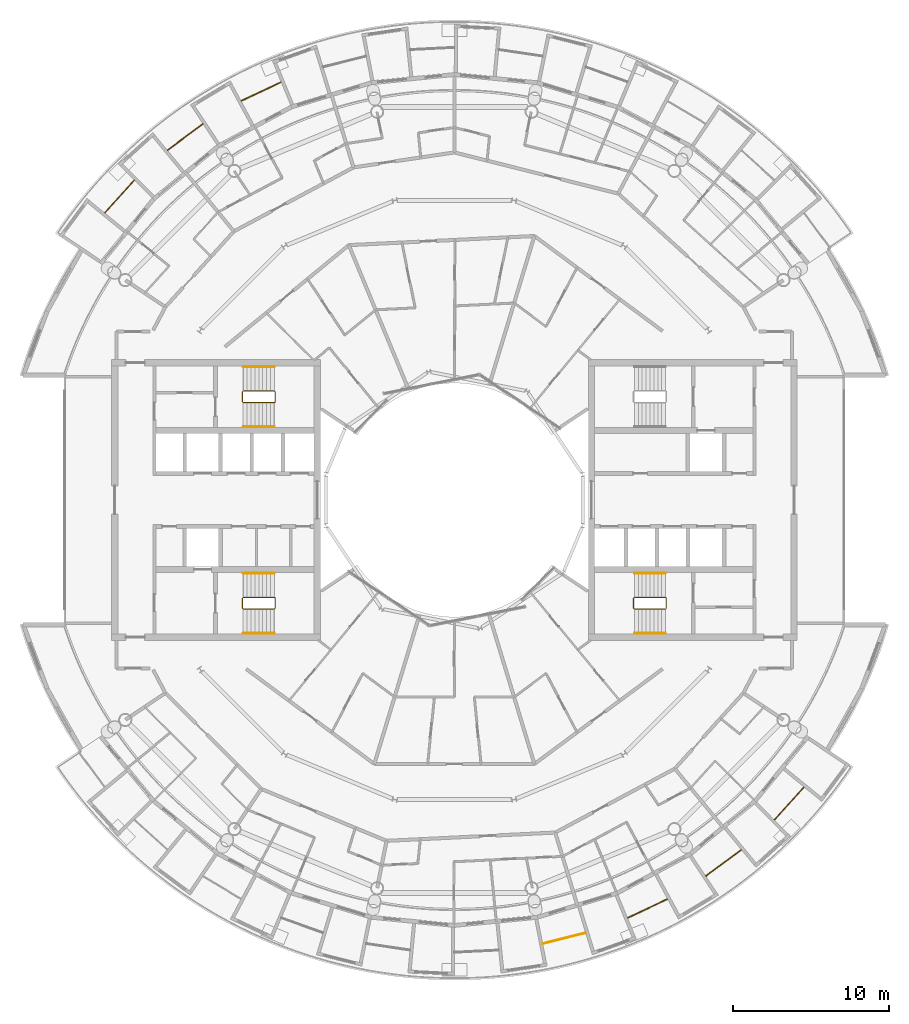
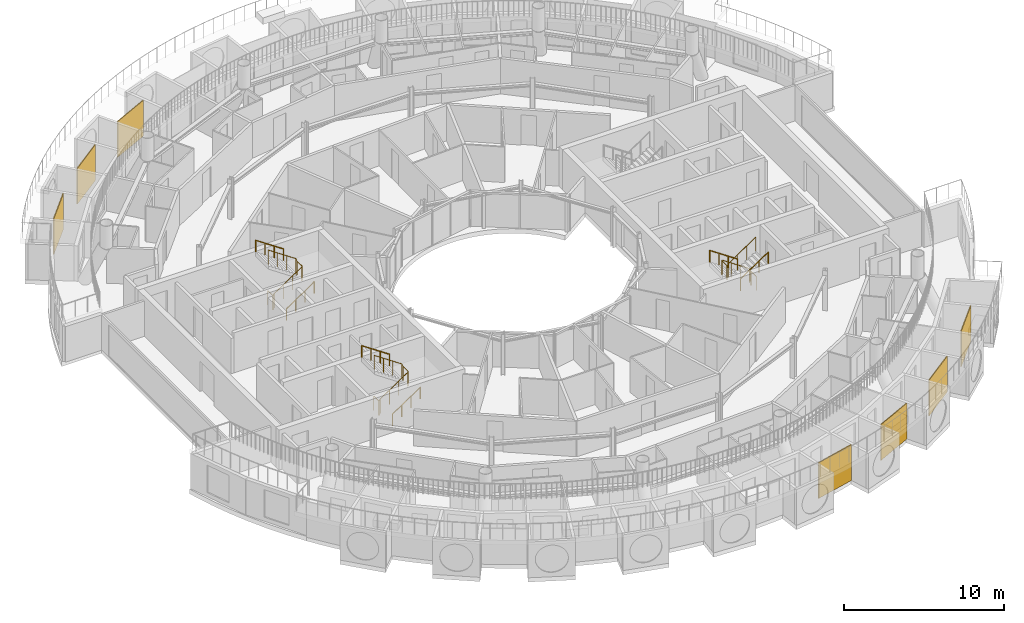
# One storey, part 28 of 29: 16 railings.
"""IFC4 building model written with IfcOpenShell, lengths in metres."""

from ifc_helpers import new_model, si_unit, direction, frame, origin, origin_2d, place, context, subcontext, project, spatial, polyline, circle, outline, extrude, material, layer, layer_set, type_object, element, save


model = new_model("IFC4")

# Units and contexts
model_context = context("Model", 3, precision=1e-05, world=origin(), true_north=direction((0.0, 1.0)))
body_context = subcontext(model_context, "Body", "Model", "MODEL_VIEW")
ifc_project = project(units=[si_unit("LENGTHUNIT", "METRE"), si_unit("AREAUNIT", "SQUARE_METRE"), si_unit("VOLUMEUNIT", "CUBIC_METRE"), si_unit("PLANEANGLEUNIT", "RADIAN"), si_unit("MASSUNIT", "GRAM", prefix="KILO")], contexts=[model_context])

# Site, building, storey
site_placement = place(None, origin())
site = spatial("IfcSite", under=ifc_project, at=site_placement, CompositionType="ELEMENT")
building_placement = place(site_placement, origin())
building = spatial("IfcBuilding", under=site, at=building_placement, Name="Maasbend Ring Residences", CompositionType="ELEMENT")
storey_placement = place(building_placement, frame((0.0, 0.0, 234.050048828125)))
storey = spatial("IfcBuildingStorey", under=building, at=storey_placement, Name="L67", CompositionType="ELEMENT", Elevation=234.050048828125)

# Railings
ifc_material_1 = material(Name="Pale anodised perforated aluminium", Category="aluminium")
ifc_layer = layer(ifc_material_1, 0.06005859375)
ifc_layer_set = layer_set([ifc_layer], Name="SCREEN-P")
railing_type_1 = type_object("IfcRailingType", Name="SCREEN-P", PredefinedType="GUARDRAIL", material=ifc_layer_set)
railing_1_placement = place(storey_placement, frame((0.0, 0.0, -0.030029296875)))
element("IfcRailing", 1, at=railing_1_placement, inside=storey, type_object=railing_type_1, Name="Perforated screen guard 8", PredefinedType="GUARDRAIL", context=body_context, shape_type="SweptSolid", body=[
    extrude(outline(polyline([(-11.097900390625, 26.79296875), (-13.6708984375, 25.575927734375), (-13.696044921875, 25.6298828125), (-11.123046875, 26.846923828125), (-11.097900390625, 26.79296875)])), origin(), (0.0, 0.0, 1.0), 2.72998046875),
])
railing_2_placement = place(storey_placement, frame((0.0, 0.0, -0.030029296875)))
element("IfcRailing", 2, at=railing_2_placement, inside=storey, type_object=railing_type_1, Name="Perforated screen guard 9", PredefinedType="GUARDRAIL", context=body_context, shape_type="SweptSolid", body=[
    extrude(outline(polyline([(-16.112060546875, 24.113037109375), (-18.39697265625, 22.4169921875), (-18.43310546875, 22.465087890625), (-16.14697265625, 24.160888671875), (-16.112060546875, 24.113037109375)])), origin(), (0.0, 0.0, 1.0), 2.72998046875),
])
railing_3_placement = place(storey_placement, frame((0.0, 0.0, -0.030029296875)))
element("IfcRailing", 3, at=railing_3_placement, inside=storey, type_object=railing_type_1, Name="Perforated screen guard 10", PredefinedType="GUARDRAIL", context=body_context, shape_type="SweptSolid", body=[
    extrude(outline(polyline([(-20.506103515625, 20.506103515625), (-22.4169921875, 18.39697265625), (-22.4619140625, 18.43798828125), (-20.551025390625, 20.5458984375), (-20.506103515625, 20.506103515625)])), origin(), (0.0, 0.0, 1.0), 2.72998046875),
])
railing_4_placement = place(storey_placement, frame((0.0, 0.0, -0.030029296875)))
element("IfcRailing", 4, at=railing_4_placement, inside=storey, type_object=railing_type_1, Name="Perforated screen guard 7", PredefinedType="GUARDRAIL", context=body_context, shape_type="SweptSolid", body=[
    extrude(outline(polyline([(5.657958984375, -28.443115234375), (8.41796875, -27.7509765625), (8.43310546875, -27.80908203125), (5.672119140625, -28.5009765625), (5.657958984375, -28.443115234375)])), origin(), (0.0, 0.0, 1.0), 2.72998046875),
])
railing_5_placement = place(storey_placement, frame((0.0, 0.0, -0.030029296875)))
element("IfcRailing", 5, at=railing_5_placement, inside=storey, type_object=railing_type_1, Name="Perforated screen guard 8", PredefinedType="GUARDRAIL", context=body_context, shape_type="SweptSolid", body=[
    extrude(outline(polyline([(11.097900390625, -26.79296875), (13.6708984375, -25.575927734375), (13.696044921875, -25.6298828125), (11.123046875, -26.846923828125), (11.097900390625, -26.79296875)])), origin(), (0.0, 0.0, 1.0), 2.72998046875),
])
railing_6_placement = place(storey_placement, frame((0.0, 0.0, -0.030029296875)))
element("IfcRailing", 6, at=railing_6_placement, inside=storey, type_object=railing_type_1, Name="Perforated screen guard 9", PredefinedType="GUARDRAIL", context=body_context, shape_type="SweptSolid", body=[
    extrude(outline(polyline([(16.112060546875, -24.113037109375), (18.39697265625, -22.4169921875), (18.43310546875, -22.465087890625), (16.14697265625, -24.160888671875), (16.112060546875, -24.113037109375)])), origin(), (0.0, 0.0, 1.0), 2.72998046875),
])
railing_7_placement = place(storey_placement, frame((0.0, 0.0, -0.030029296875)))
element("IfcRailing", 7, at=railing_7_placement, inside=storey, type_object=railing_type_1, Name="Perforated screen guard 10", PredefinedType="GUARDRAIL", context=body_context, shape_type="SweptSolid", body=[
    extrude(outline(polyline([(20.506103515625, -20.506103515625), (22.4169921875, -18.39697265625), (22.4619140625, -18.43798828125), (20.551025390625, -20.5458984375), (20.506103515625, -20.506103515625)])), origin(), (0.0, 0.0, 1.0), 2.72998046875),
])
ifc_material_2 = material(Name="Stainless steel 316", Category="steel")
railing_type_2 = type_object("IfcRailingType", Name="STAIR GUARD 1100", PredefinedType="GUARDRAIL", material=ifc_material_2)
railing_8_placement = place(storey_placement, frame((13.60009765625, -6.949951171875, 0.0)))
element("IfcRailing", 8, at=railing_8_placement, inside=storey, type_object=railing_type_2, Name="L67 ST-E2 stair guard 1", PredefinedType="GUARDRAIL", context=body_context, shape_type="SweptSolid", body=[
    extrude(circle(Radius=0.02392578125, at=origin_2d()), frame((0.0, 0.0, 1.076171875), z_axis=(0.0, 1.0, 0.0), x_axis=(-1.0, 0.0, 0.0)), (0.0, 0.0, 1.0), 0.64990234375),
    extrude(circle(Radius=0.02392578125, at=origin_2d()), frame((0.0, 0.64990234375, 1.076171875), z_axis=(-0.272562526181, 0.272562526181, 0.92272386912), x_axis=(-0.707106781187, -0.707106781187, 0.0)), (0.0, 0.0, 1.0), 0.18359375),
    extrude(circle(Radius=0.02392578125, at=origin_2d()), frame((-0.050048828125, 0.699951171875, 1.24560546875), z_axis=(-0.827797584762, 0.0, 0.561026878735), x_axis=(0.0, -1.0, 0.0)), (0.0, 0.0, 1.0), 2.416015625),
    extrude(circle(Radius=0.02392578125, at=origin_2d()), frame((-2.050048828125, 0.699951171875, 2.60107421875), z_axis=(-0.707106781187, -0.707106781187, 0.0), x_axis=(0.707106781187, -0.707106781187, 0.0)), (0.0, 0.0, 1.0), 0.07080078125),
    extrude(circle(Radius=0.02392578125, at=origin_2d()), frame((-2.10009765625, 0.64990234375, 2.60107421875), z_axis=(0.0, -1.0, 0.0), x_axis=(1.0, 0.0, 0.0)), (0.0, 0.0, 1.0), 0.64990234375),
    extrude(circle(Radius=0.02392578125, at=origin_2d()), frame((-2.10009765625, 0.0, 2.60107421875), z_axis=(0.272562526181, -0.272562526181, 0.92272386912), x_axis=(0.707106781187, 0.707106781187, 0.0)), (0.0, 0.0, 1.0), 0.18359375),
    extrude(circle(Radius=0.02392578125, at=origin_2d()), frame((-2.050048828125, -0.050048828125, 2.7705078125), z_axis=(0.827750655447, 0.0, 0.561096116906), x_axis=(0.0, 1.0, 0.0)), (0.0, 0.0, 1.0), 2.416259765625),
    extrude(circle(Radius=0.02099609375, at=origin_2d()), origin(), (0.0, 0.0, 1.0), 1.052001953125),
    extrude(circle(Radius=0.02099609375, at=origin_2d()), frame((0.0, 0.64990234375, 0.0)), (0.0, 0.0, 1.0), 1.052001953125),
    extrude(circle(Radius=0.02099609375, at=origin_2d()), frame((-0.050048828125, 0.699951171875, 0.16943359375)), (0.0, 0.0, 1.0), 1.052001953125),
    extrude(circle(Radius=0.02099609375, at=origin_2d()), frame((-0.716796875, 0.699951171875, 0.621337890625)), (0.0, 0.0, 1.0), 1.052001953125),
    extrude(circle(Radius=0.02099609375, at=origin_2d()), frame((-1.38330078125, 0.699951171875, 1.072998046875)), (0.0, 0.0, 1.0), 1.052001953125),
    extrude(circle(Radius=0.02099609375, at=origin_2d()), frame((-2.050048828125, 0.699951171875, 1.52490234375)), (0.0, 0.0, 1.0), 1.052001953125),
    extrude(circle(Radius=0.02099609375, at=origin_2d()), frame((-2.10009765625, 0.64990234375, 1.52490234375)), (0.0, 0.0, 1.0), 1.052001953125),
    extrude(circle(Radius=0.02099609375, at=origin_2d()), frame((-2.10009765625, 0.0, 1.52490234375)), (0.0, 0.0, 1.0), 1.052001953125),
    extrude(circle(Radius=0.02099609375, at=origin_2d()), frame((-2.050048828125, -0.050048828125, 1.6943359375)), (0.0, 0.0, 1.0), 1.052001953125),
    extrude(circle(Radius=0.02099609375, at=origin_2d()), frame((-1.38330078125, -0.050048828125, 2.146240234375)), (0.0, 0.0, 1.0), 1.052001953125),
    extrude(circle(Radius=0.02099609375, at=origin_2d()), frame((-0.716796875, -0.050048828125, 2.59814453125)), (0.0, 0.0, 1.0), 1.052001953125),
    extrude(circle(Radius=0.02099609375, at=origin_2d()), frame((-0.050048828125, -0.050048828125, 3.050048828125)), (0.0, 0.0, 1.0), 1.052001953125),
])
railing_9_placement = place(storey_placement, frame((-13.60009765625, -6.300048828125, 0.0)))
element("IfcRailing", 9, at=railing_9_placement, inside=storey, type_object=railing_type_2, Name="L67 ST-W1 stair guard 1", PredefinedType="GUARDRAIL", context=body_context, shape_type="SweptSolid", body=[
    extrude(circle(Radius=0.02392578125, at=origin_2d()), frame((0.0, 0.0, 1.076171875), z_axis=(0.0, -1.0, 0.0), x_axis=(1.0, 0.0, 0.0)), (0.0, 0.0, 1.0), 0.64990234375),
    extrude(circle(Radius=0.02392578125, at=origin_2d()), frame((0.0, -0.64990234375, 1.076171875), z_axis=(0.272562526181, -0.272562526181, 0.92272386912), x_axis=(0.707106781187, 0.707106781187, 0.0)), (0.0, 0.0, 1.0), 0.18359375),
    extrude(circle(Radius=0.02392578125, at=origin_2d()), frame((0.050048828125, -0.699951171875, 1.24560546875), z_axis=(0.827797584762, 0.0, 0.561026878735), x_axis=(0.0, 1.0, 0.0)), (0.0, 0.0, 1.0), 2.416015625),
    extrude(circle(Radius=0.02392578125, at=origin_2d()), frame((2.050048828125, -0.699951171875, 2.60107421875), z_axis=(0.707106781187, 0.707106781187, 0.0), x_axis=(-0.707106781187, 0.707106781187, 0.0)), (0.0, 0.0, 1.0), 0.07080078125),
    extrude(circle(Radius=0.02392578125, at=origin_2d()), frame((2.10009765625, -0.64990234375, 2.60107421875), z_axis=(0.0, 1.0, 0.0), x_axis=(-1.0, 0.0, 0.0)), (0.0, 0.0, 1.0), 0.64990234375),
    extrude(circle(Radius=0.02392578125, at=origin_2d()), frame((2.10009765625, 0.0, 2.60107421875), z_axis=(-0.272562526181, 0.272562526181, 0.92272386912), x_axis=(-0.707106781187, -0.707106781187, 0.0)), (0.0, 0.0, 1.0), 0.18359375),
    extrude(circle(Radius=0.02392578125, at=origin_2d()), frame((2.050048828125, 0.050048828125, 2.7705078125), z_axis=(-0.827750655447, 0.0, 0.561096116906), x_axis=(0.0, -1.0, 0.0)), (0.0, 0.0, 1.0), 2.416259765625),
    extrude(circle(Radius=0.02099609375, at=origin_2d()), origin(), (0.0, 0.0, 1.0), 1.052001953125),
    extrude(circle(Radius=0.02099609375, at=origin_2d()), frame((0.0, -0.64990234375, 0.0)), (0.0, 0.0, 1.0), 1.052001953125),
    extrude(circle(Radius=0.02099609375, at=origin_2d()), frame((0.050048828125, -0.699951171875, 0.16943359375)), (0.0, 0.0, 1.0), 1.052001953125),
    extrude(circle(Radius=0.02099609375, at=origin_2d()), frame((0.716796875, -0.699951171875, 0.621337890625)), (0.0, 0.0, 1.0), 1.052001953125),
    extrude(circle(Radius=0.02099609375, at=origin_2d()), frame((1.38330078125, -0.699951171875, 1.072998046875)), (0.0, 0.0, 1.0), 1.052001953125),
    extrude(circle(Radius=0.02099609375, at=origin_2d()), frame((2.050048828125, -0.699951171875, 1.52490234375)), (0.0, 0.0, 1.0), 1.052001953125),
    extrude(circle(Radius=0.02099609375, at=origin_2d()), frame((2.10009765625, -0.64990234375, 1.52490234375)), (0.0, 0.0, 1.0), 1.052001953125),
    extrude(circle(Radius=0.02099609375, at=origin_2d()), frame((2.10009765625, 0.0, 1.52490234375)), (0.0, 0.0, 1.0), 1.052001953125),
    extrude(circle(Radius=0.02099609375, at=origin_2d()), frame((2.050048828125, 0.050048828125, 1.6943359375)), (0.0, 0.0, 1.0), 1.052001953125),
    extrude(circle(Radius=0.02099609375, at=origin_2d()), frame((1.38330078125, 0.050048828125, 2.146240234375)), (0.0, 0.0, 1.0), 1.052001953125),
    extrude(circle(Radius=0.02099609375, at=origin_2d()), frame((0.716796875, 0.050048828125, 2.59814453125)), (0.0, 0.0, 1.0), 1.052001953125),
    extrude(circle(Radius=0.02099609375, at=origin_2d()), frame((0.050048828125, 0.050048828125, 3.050048828125)), (0.0, 0.0, 1.0), 1.052001953125),
])
railing_10_placement = place(storey_placement, frame((-13.60009765625, 6.949951171875, 0.0)))
element("IfcRailing", 10, at=railing_10_placement, inside=storey, type_object=railing_type_2, Name="L67 ST-W2 stair guard 1", PredefinedType="GUARDRAIL", context=body_context, shape_type="SweptSolid", body=[
    extrude(circle(Radius=0.02392578125, at=origin_2d()), frame((0.0, 0.0, 1.076171875), z_axis=(0.0, -1.0, 0.0), x_axis=(1.0, 0.0, 0.0)), (0.0, 0.0, 1.0), 0.64990234375),
    extrude(circle(Radius=0.02392578125, at=origin_2d()), frame((0.0, -0.64990234375, 1.076171875), z_axis=(0.272562526181, -0.272562526181, 0.92272386912), x_axis=(0.707106781187, 0.707106781187, 0.0)), (0.0, 0.0, 1.0), 0.18359375),
    extrude(circle(Radius=0.02392578125, at=origin_2d()), frame((0.050048828125, -0.699951171875, 1.24560546875), z_axis=(0.827797584762, 0.0, 0.561026878735), x_axis=(0.0, 1.0, 0.0)), (0.0, 0.0, 1.0), 2.416015625),
    extrude(circle(Radius=0.02392578125, at=origin_2d()), frame((2.050048828125, -0.699951171875, 2.60107421875), z_axis=(0.707106781187, 0.707106781187, 0.0), x_axis=(-0.707106781187, 0.707106781187, 0.0)), (0.0, 0.0, 1.0), 0.07080078125),
    extrude(circle(Radius=0.02392578125, at=origin_2d()), frame((2.10009765625, -0.64990234375, 2.60107421875), z_axis=(0.0, 1.0, 0.0), x_axis=(-1.0, 0.0, 0.0)), (0.0, 0.0, 1.0), 0.64990234375),
    extrude(circle(Radius=0.02392578125, at=origin_2d()), frame((2.10009765625, 0.0, 2.60107421875), z_axis=(-0.272562526181, 0.272562526181, 0.92272386912), x_axis=(-0.707106781187, -0.707106781187, 0.0)), (0.0, 0.0, 1.0), 0.18359375),
    extrude(circle(Radius=0.02392578125, at=origin_2d()), frame((2.050048828125, 0.050048828125, 2.7705078125), z_axis=(-0.827750655447, 0.0, 0.561096116906), x_axis=(0.0, -1.0, 0.0)), (0.0, 0.0, 1.0), 2.416259765625),
    extrude(circle(Radius=0.02099609375, at=origin_2d()), origin(), (0.0, 0.0, 1.0), 1.052001953125),
    extrude(circle(Radius=0.02099609375, at=origin_2d()), frame((0.0, -0.64990234375, 0.0)), (0.0, 0.0, 1.0), 1.052001953125),
    extrude(circle(Radius=0.02099609375, at=origin_2d()), frame((0.050048828125, -0.699951171875, 0.16943359375)), (0.0, 0.0, 1.0), 1.052001953125),
    extrude(circle(Radius=0.02099609375, at=origin_2d()), frame((0.716796875, -0.699951171875, 0.621337890625)), (0.0, 0.0, 1.0), 1.052001953125),
    extrude(circle(Radius=0.02099609375, at=origin_2d()), frame((1.38330078125, -0.699951171875, 1.072998046875)), (0.0, 0.0, 1.0), 1.052001953125),
    extrude(circle(Radius=0.02099609375, at=origin_2d()), frame((2.050048828125, -0.699951171875, 1.52490234375)), (0.0, 0.0, 1.0), 1.052001953125),
    extrude(circle(Radius=0.02099609375, at=origin_2d()), frame((2.10009765625, -0.64990234375, 1.52490234375)), (0.0, 0.0, 1.0), 1.052001953125),
    extrude(circle(Radius=0.02099609375, at=origin_2d()), frame((2.10009765625, 0.0, 1.52490234375)), (0.0, 0.0, 1.0), 1.052001953125),
    extrude(circle(Radius=0.02099609375, at=origin_2d()), frame((2.050048828125, 0.050048828125, 1.6943359375)), (0.0, 0.0, 1.0), 1.052001953125),
    extrude(circle(Radius=0.02099609375, at=origin_2d()), frame((1.38330078125, 0.050048828125, 2.146240234375)), (0.0, 0.0, 1.0), 1.052001953125),
    extrude(circle(Radius=0.02099609375, at=origin_2d()), frame((0.716796875, 0.050048828125, 2.59814453125)), (0.0, 0.0, 1.0), 1.052001953125),
    extrude(circle(Radius=0.02099609375, at=origin_2d()), frame((0.050048828125, 0.050048828125, 3.050048828125)), (0.0, 0.0, 1.0), 1.052001953125),
])
ifc_material_3 = material(Name="Stainless steel 316", Category="steel")
railing_type_3 = type_object("IfcRailingType", Name="STAIR HANDRAIL 900", PredefinedType="HANDRAIL", material=ifc_material_3)
railing_11_placement = place(storey_placement, frame((13.550048828125, -4.699951171875, 0.16943359375)))
element("IfcRailing", 11, at=railing_11_placement, inside=storey, type_object=railing_type_3, Name="L67 ST-E2 stair handrail 1", PredefinedType="HANDRAIL", context=body_context, shape_type="SweptSolid", body=[
    extrude(circle(Radius=0.02392578125, at=origin_2d()), frame((0.0, 0.0, 0.8759765625), z_axis=(-0.827797584762, 0.0, 0.561026878735), x_axis=(0.0, -1.0, 0.0)), (0.0, 0.0, 1.0), 2.416015625),
    extrude(circle(Radius=0.02099609375, at=origin_2d()), origin(), (0.0, 0.0, 1.0), 0.851806640625),
    extrude(circle(Radius=0.02099609375, at=origin_2d()), frame((-0.666748046875, 0.0, 0.451904296875)), (0.0, 0.0, 1.0), 0.851806640625),
    extrude(circle(Radius=0.02099609375, at=origin_2d()), frame((-1.333251953125, 0.0, 0.903564453125)), (0.0, 0.0, 1.0), 0.851806640625),
    extrude(circle(Radius=0.02099609375, at=origin_2d()), frame((-2.0, 0.0, 1.35546875)), (0.0, 0.0, 1.0), 0.851806640625),
])
railing_12_placement = place(storey_placement, frame((11.550048828125, -8.550048828125, 1.6943359375)))
element("IfcRailing", 12, at=railing_12_placement, inside=storey, type_object=railing_type_3, Name="L67 ST-E2 stair handrail 2", PredefinedType="HANDRAIL", context=body_context, shape_type="SweptSolid", body=[
    extrude(circle(Radius=0.02392578125, at=origin_2d()), frame((0.0, 0.0, 0.8759765625), z_axis=(0.827750655447, 0.0, 0.561096116906), x_axis=(0.0, 1.0, 0.0)), (0.0, 0.0, 1.0), 2.416259765625),
    extrude(circle(Radius=0.02099609375, at=origin_2d()), origin(), (0.0, 0.0, 1.0), 0.851806640625),
    extrude(circle(Radius=0.02099609375, at=origin_2d()), frame((0.666748046875, 0.0, 0.451904296875)), (0.0, 0.0, 1.0), 0.851806640625),
    extrude(circle(Radius=0.02099609375, at=origin_2d()), frame((1.333251953125, 0.0, 0.90380859375)), (0.0, 0.0, 1.0), 0.851806640625),
    extrude(circle(Radius=0.02099609375, at=origin_2d()), frame((2.0, 0.0, 1.355712890625)), (0.0, 0.0, 1.0), 0.851806640625),
])
railing_13_placement = place(storey_placement, frame((-13.550048828125, -8.550048828125, 0.16943359375)))
element("IfcRailing", 13, at=railing_13_placement, inside=storey, type_object=railing_type_3, Name="L67 ST-W1 stair handrail 1", PredefinedType="HANDRAIL", context=body_context, shape_type="SweptSolid", body=[
    extrude(circle(Radius=0.02392578125, at=origin_2d()), frame((0.0, 0.0, 0.8759765625), z_axis=(0.827797584762, 0.0, 0.561026878735), x_axis=(0.0, 1.0, 0.0)), (0.0, 0.0, 1.0), 2.416015625),
    extrude(circle(Radius=0.02099609375, at=origin_2d()), origin(), (0.0, 0.0, 1.0), 0.851806640625),
    extrude(circle(Radius=0.02099609375, at=origin_2d()), frame((0.666748046875, 0.0, 0.451904296875)), (0.0, 0.0, 1.0), 0.851806640625),
    extrude(circle(Radius=0.02099609375, at=origin_2d()), frame((1.333251953125, 0.0, 0.903564453125)), (0.0, 0.0, 1.0), 0.851806640625),
    extrude(circle(Radius=0.02099609375, at=origin_2d()), frame((2.0, 0.0, 1.35546875)), (0.0, 0.0, 1.0), 0.851806640625),
])
railing_14_placement = place(storey_placement, frame((-11.550048828125, -4.699951171875, 1.6943359375)))
element("IfcRailing", 14, at=railing_14_placement, inside=storey, type_object=railing_type_3, Name="L67 ST-W1 stair handrail 2", PredefinedType="HANDRAIL", context=body_context, shape_type="SweptSolid", body=[
    extrude(circle(Radius=0.02392578125, at=origin_2d()), frame((0.0, 0.0, 0.8759765625), z_axis=(-0.827750655447, 0.0, 0.561096116906), x_axis=(0.0, -1.0, 0.0)), (0.0, 0.0, 1.0), 2.416259765625),
    extrude(circle(Radius=0.02099609375, at=origin_2d()), origin(), (0.0, 0.0, 1.0), 0.851806640625),
    extrude(circle(Radius=0.02099609375, at=origin_2d()), frame((-0.666748046875, 0.0, 0.451904296875)), (0.0, 0.0, 1.0), 0.851806640625),
    extrude(circle(Radius=0.02099609375, at=origin_2d()), frame((-1.333251953125, 0.0, 0.90380859375)), (0.0, 0.0, 1.0), 0.851806640625),
    extrude(circle(Radius=0.02099609375, at=origin_2d()), frame((-2.0, 0.0, 1.355712890625)), (0.0, 0.0, 1.0), 0.851806640625),
])
railing_15_placement = place(storey_placement, frame((-13.550048828125, 4.699951171875, 0.16943359375)))
element("IfcRailing", 15, at=railing_15_placement, inside=storey, type_object=railing_type_3, Name="L67 ST-W2 stair handrail 1", PredefinedType="HANDRAIL", context=body_context, shape_type="SweptSolid", body=[
    extrude(circle(Radius=0.02392578125, at=origin_2d()), frame((0.0, 0.0, 0.8759765625), z_axis=(0.827797584762, 0.0, 0.561026878735), x_axis=(0.0, 1.0, 0.0)), (0.0, 0.0, 1.0), 2.416015625),
    extrude(circle(Radius=0.02099609375, at=origin_2d()), origin(), (0.0, 0.0, 1.0), 0.851806640625),
    extrude(circle(Radius=0.02099609375, at=origin_2d()), frame((0.666748046875, 0.0, 0.451904296875)), (0.0, 0.0, 1.0), 0.851806640625),
    extrude(circle(Radius=0.02099609375, at=origin_2d()), frame((1.333251953125, 0.0, 0.903564453125)), (0.0, 0.0, 1.0), 0.851806640625),
    extrude(circle(Radius=0.02099609375, at=origin_2d()), frame((2.0, 0.0, 1.35546875)), (0.0, 0.0, 1.0), 0.851806640625),
])
railing_16_placement = place(storey_placement, frame((-11.550048828125, 8.550048828125, 1.6943359375)))
element("IfcRailing", 16, at=railing_16_placement, inside=storey, type_object=railing_type_3, Name="L67 ST-W2 stair handrail 2", PredefinedType="HANDRAIL", context=body_context, shape_type="SweptSolid", body=[
    extrude(circle(Radius=0.02392578125, at=origin_2d()), frame((0.0, 0.0, 0.8759765625), z_axis=(-0.827750655447, 0.0, 0.561096116906), x_axis=(0.0, -1.0, 0.0)), (0.0, 0.0, 1.0), 2.416259765625),
    extrude(circle(Radius=0.02099609375, at=origin_2d()), origin(), (0.0, 0.0, 1.0), 0.851806640625),
    extrude(circle(Radius=0.02099609375, at=origin_2d()), frame((-0.666748046875, 0.0, 0.451904296875)), (0.0, 0.0, 1.0), 0.851806640625),
    extrude(circle(Radius=0.02099609375, at=origin_2d()), frame((-1.333251953125, 0.0, 0.90380859375)), (0.0, 0.0, 1.0), 0.851806640625),
    extrude(circle(Radius=0.02099609375, at=origin_2d()), frame((-2.0, 0.0, 1.355712890625)), (0.0, 0.0, 1.0), 0.851806640625),
])

save(model, "model.ifc")
